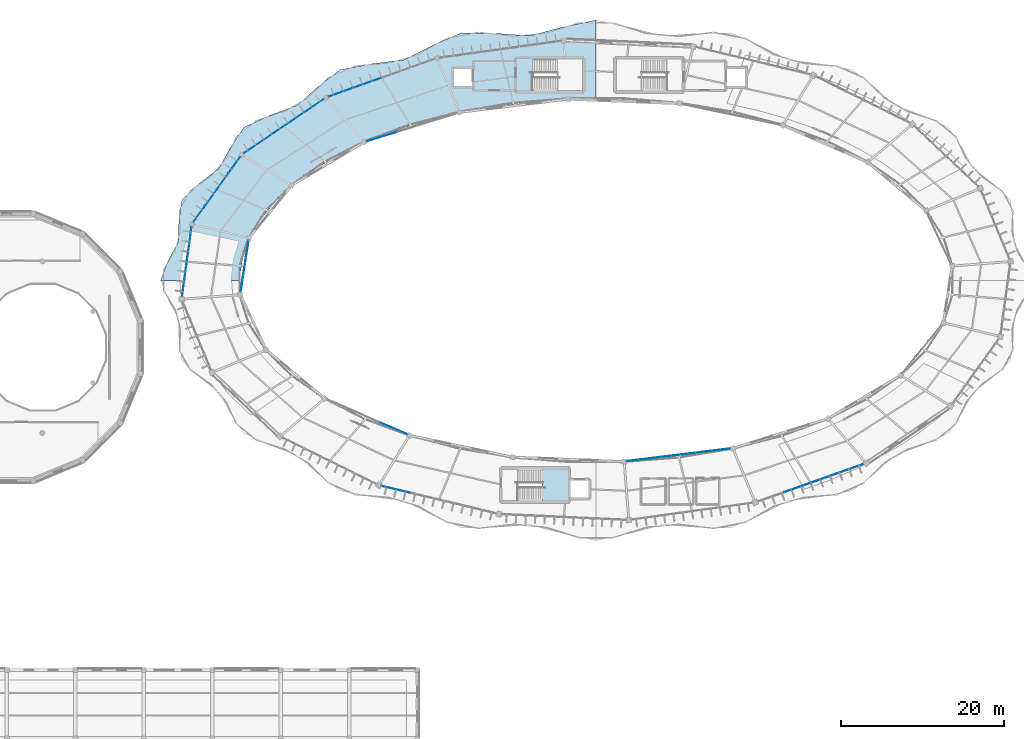
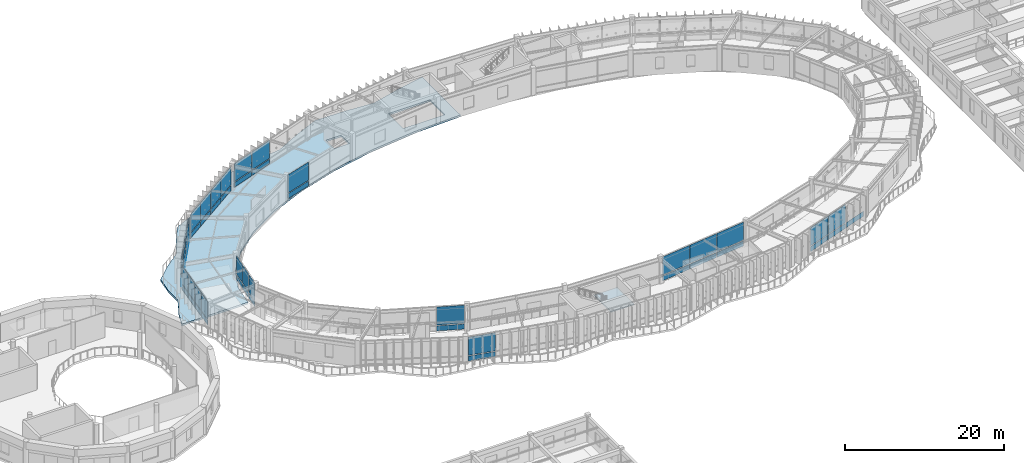
# One storey, part 85 of 114: 51 plates, 2 slabs, 11 elements without a shape of their own.
"""IFC4 building model written with IfcOpenShell, lengths in metres."""

from ifc_helpers import new_model, si_unit, direction, frame, origin, origin_2d, place, context, subcontext, project, spatial, polyline, rectangle, outline, extrude, material, layer, layer_set, type_object, element, aggregate, save


model = new_model("IFC4")

# Units and contexts
model_context = context("Model", 3, precision=1e-05, world=origin(), true_north=direction((0.0, 1.0)))
body_context = subcontext(model_context, "Body", "Model", "MODEL_VIEW")
ifc_project = project(units=[si_unit("LENGTHUNIT", "METRE"), si_unit("AREAUNIT", "SQUARE_METRE"), si_unit("VOLUMEUNIT", "CUBIC_METRE"), si_unit("PLANEANGLEUNIT", "RADIAN"), si_unit("MASSUNIT", "GRAM", prefix="KILO"), si_unit("THERMODYNAMICTEMPERATUREUNIT", "KELVIN"), si_unit("POWERUNIT", "WATT")], contexts=[model_context])

# Site, building, storey
site_placement = place(None, origin())
site = spatial("IfcSite", under=ifc_project, at=site_placement, CompositionType="ELEMENT")
building_placement = place(site_placement, origin())
building = spatial("IfcBuilding", under=site, at=building_placement, Name="Darbajah Civic Hall", CompositionType="ELEMENT")
storey_placement = place(building_placement, frame((0.0, 0.0, 13.800048828125)))
storey = spatial("IfcBuildingStorey", under=building, at=storey_placement, Name="L03", CompositionType="ELEMENT", Elevation=13.800048828125)

# Curtain wall, plates
ifc_material_1 = material(Name="Anodised Bronze Aluminium and Low-E Glazing", Category="aluminium")
curtain_wall_type_1 = type_object("IfcCurtainWallType", Name="Unitised Curtain Wall CW-44 9800x3900", PredefinedType="USERDEFINED", material=ifc_material_1)
curtain_wall_1_placement = place(storey_placement, origin())
curtain_wall_1 = element("IfcCurtainWall", 1, at=curtain_wall_1_placement, inside=storey, type_object=curtain_wall_type_1, Name="L03 unitised curtain wall CW-V1O-L03-08", ObjectType="UNITISED CURTAIN WALL", PredefinedType="USERDEFINED")
ifc_material_2 = material(Name="Low-E Solar Control Double Glazing", Category="glass")
ifc_layer_1 = layer(ifc_material_2, 0.02392578125, Name="Low-E Solar Control Double Glazing")
ifc_layer_set_1 = layer_set([ifc_layer_1], Name="Low-E Solar Control Double Glazing")
plate_type_1 = type_object("IfcPlateType", Name="Solar Double Glazing 24mm", PredefinedType="CURTAIN_PANEL", material=ifc_layer_set_1)
plate_1_placement = place(storey_placement, frame((44.709228515625, 103.948486328125, 0.10009765625), z_axis=(0.0, 0.0, 1.0), x_axis=(-0.582264874145, -0.812999149039, 0.0)))
plate_1 = element("IfcPlate", 2, at=plate_1_placement, type_object=plate_type_1, Name="CW-V1O-L03-08 glazed panel 1.1", PredefinedType="CURTAIN_PANEL", context=body_context, shape_type="SweptSolid", body=[
    extrude(rectangle(XDim=2.3935546875, YDim=0.02392578125, at=origin_2d()), origin(), (0.0, 0.0, 1.0), 0.800048828125),
])
plate_2_placement = place(storey_placement, frame((44.709228515625, 103.948486328125, 1.0), z_axis=(0.0, 0.0, 1.0), x_axis=(-0.582264874145, -0.812999149039, 0.0)))
plate_2 = element("IfcPlate", 3, at=plate_2_placement, type_object=plate_type_1, Name="CW-V1O-L03-08 glazed panel 1.2", PredefinedType="CURTAIN_PANEL", context=body_context, shape_type="SweptSolid", body=[
    extrude(rectangle(XDim=2.3935546875, YDim=0.02392578125, at=origin_2d()), origin(), (0.0, 0.0, 1.0), 2.820068359375),
])
plate_3_placement = place(storey_placement, frame((43.278076171875, 101.94970703125, 0.10009765625), z_axis=(0.0, 0.0, 1.0), x_axis=(-0.582264874145, -0.812999149039, 0.0)))
plate_3 = element("IfcPlate", 4, at=plate_3_placement, type_object=plate_type_1, Name="CW-V1O-L03-08 glazed panel 2.1", PredefinedType="CURTAIN_PANEL", context=body_context, shape_type="SweptSolid", body=[
    extrude(rectangle(XDim=2.3935546875, YDim=0.02392578125, at=origin_2d()), origin(), (0.0, 0.0, 1.0), 0.800048828125),
])
plate_4_placement = place(storey_placement, frame((43.278076171875, 101.94970703125, 1.0), z_axis=(0.0, 0.0, 1.0), x_axis=(-0.582264874145, -0.812999149039, 0.0)))
plate_4 = element("IfcPlate", 5, at=plate_4_placement, type_object=plate_type_1, Name="CW-V1O-L03-08 glazed panel 2.2", PredefinedType="CURTAIN_PANEL", context=body_context, shape_type="SweptSolid", body=[
    extrude(rectangle(XDim=2.3935546875, YDim=0.02392578125, at=origin_2d()), origin(), (0.0, 0.0, 1.0), 2.820068359375),
])
plate_5_placement = place(storey_placement, frame((41.8466796875, 99.95068359375, 0.10009765625), z_axis=(0.0, 0.0, 1.0), x_axis=(-0.582264874145, -0.812999149039, 0.0)))
plate_5 = element("IfcPlate", 6, at=plate_5_placement, type_object=plate_type_1, Name="CW-V1O-L03-08 glazed panel 3.1", PredefinedType="CURTAIN_PANEL", context=body_context, shape_type="SweptSolid", body=[
    extrude(rectangle(XDim=2.3935546875, YDim=0.02392578125, at=origin_2d()), origin(), (0.0, 0.0, 1.0), 0.800048828125),
])
plate_6_placement = place(storey_placement, frame((41.8466796875, 99.95068359375, 1.0), z_axis=(0.0, 0.0, 1.0), x_axis=(-0.582264874145, -0.812999149039, 0.0)))
plate_6 = element("IfcPlate", 7, at=plate_6_placement, type_object=plate_type_1, Name="CW-V1O-L03-08 glazed panel 3.2", PredefinedType="CURTAIN_PANEL", context=body_context, shape_type="SweptSolid", body=[
    extrude(rectangle(XDim=2.3935546875, YDim=0.02392578125, at=origin_2d()), origin(), (0.0, 0.0, 1.0), 2.820068359375),
])
plate_7_placement = place(storey_placement, frame((40.415283203125, 97.951904296875, 0.10009765625), z_axis=(0.0, 0.0, 1.0), x_axis=(-0.582264874145, -0.812999149039, 0.0)))
plate_7 = element("IfcPlate", 8, at=plate_7_placement, type_object=plate_type_1, Name="CW-V1O-L03-08 glazed panel 4.1", PredefinedType="CURTAIN_PANEL", context=body_context, shape_type="SweptSolid", body=[
    extrude(rectangle(XDim=2.3935546875, YDim=0.02392578125, at=origin_2d()), origin(), (0.0, 0.0, 1.0), 0.800048828125),
])
plate_8_placement = place(storey_placement, frame((40.415283203125, 97.951904296875, 1.0), z_axis=(0.0, 0.0, 1.0), x_axis=(-0.582264874145, -0.812999149039, 0.0)))
plate_8 = element("IfcPlate", 9, at=plate_8_placement, type_object=plate_type_1, Name="CW-V1O-L03-08 glazed panel 4.2", PredefinedType="CURTAIN_PANEL", context=body_context, shape_type="SweptSolid", body=[
    extrude(rectangle(XDim=2.3935546875, YDim=0.02392578125, at=origin_2d()), origin(), (0.0, 0.0, 1.0), 2.820068359375),
])
aggregate(curtain_wall_1, [plate_1, plate_2, plate_3, plate_4, plate_5, plate_6, plate_7, plate_8])

curtain_wall_type_2 = type_object("IfcCurtainWallType", Name="Unitised Curtain Wall CW-43 11600x3900", PredefinedType="USERDEFINED", material=ifc_material_1)
curtain_wall_2_placement = place(storey_placement, origin())
curtain_wall_2 = element("IfcCurtainWall", 10, at=curtain_wall_2_placement, inside=storey, type_object=curtain_wall_type_2, Name="L03 unitised curtain wall CW-V1I-L03-06", ObjectType="UNITISED CURTAIN WALL", PredefinedType="USERDEFINED")
ifc_layer_2 = layer(ifc_material_2, 0.028076171875, Name="Low-E Solar Control Double Glazing")
ifc_layer_set_2 = layer_set([ifc_layer_2], Name="Low-E Solar Control Double Glazing")
plate_type_2 = type_object("IfcPlateType", Name="Solar Double Glazing 28mm", PredefinedType="CURTAIN_PANEL", material=ifc_layer_set_2)
plate_9_placement = place(storey_placement, frame((62.793701171875, 107.424560546875, 0.119873046875), z_axis=(0.0, 0.0, 1.0), x_axis=(-0.954604963513, -0.297874744877, 0.0)))
plate_9 = element("IfcPlate", 11, at=plate_9_placement, type_object=plate_type_2, Name="CW-V1I-L03-06 glazed panel 3.1", PredefinedType="CURTAIN_PANEL", context=body_context, shape_type="SweptSolid", body=[
    extrude(rectangle(XDim=3.80859375, YDim=0.028076171875, at=origin_2d()), origin(), (0.0, 0.0, 1.0), 0.77001953125),
])
plate_10_placement = place(storey_placement, frame((62.793701171875, 107.424560546875, 1.010009765625), z_axis=(0.0, 0.0, 1.0), x_axis=(-0.954604963513, -0.297874744877, 0.0)))
plate_10 = element("IfcPlate", 12, at=plate_10_placement, type_object=plate_type_2, Name="CW-V1I-L03-06 glazed panel 3.2", PredefinedType="CURTAIN_PANEL", context=body_context, shape_type="SweptSolid", body=[
    extrude(rectangle(XDim=3.80859375, YDim=0.028076171875, at=origin_2d()), origin(), (0.0, 0.0, 1.0), 2.7900390625),
])
aggregate(curtain_wall_2, [plate_9, plate_10])

curtain_wall_type_3 = type_object("IfcCurtainWallType", Name="Unitised Curtain Wall CW-58 11900x3900", PredefinedType="USERDEFINED", material=ifc_material_1)
curtain_wall_3_placement = place(storey_placement, origin())
curtain_wall_3 = element("IfcCurtainWall", 13, at=curtain_wall_3_placement, inside=storey, type_object=curtain_wall_type_3, Name="L03 unitised curtain wall CW-V1O-L03-07", ObjectType="UNITISED CURTAIN WALL", PredefinedType="USERDEFINED")
plate_11_placement = place(storey_placement, frame((54.479736328125, 111.21728515625, 0.119873046875), z_axis=(0.0, 0.0, 1.0), x_axis=(-0.827962472047, -0.560783509816, 0.0)))
plate_11 = element("IfcPlate", 14, at=plate_11_placement, type_object=plate_type_2, Name="CW-V1O-L03-07 glazed panel 1.1", PredefinedType="CURTAIN_PANEL", context=body_context, shape_type="SweptSolid", body=[
    extrude(rectangle(XDim=2.8955078125, YDim=0.028076171875, at=origin_2d()), origin(), (0.0, 0.0, 1.0), 0.77001953125),
])
plate_12_placement = place(storey_placement, frame((54.479736328125, 111.21728515625, 1.010009765625), z_axis=(0.0, 0.0, 1.0), x_axis=(-0.827962472047, -0.560783509816, 0.0)))
plate_12 = element("IfcPlate", 15, at=plate_12_placement, type_object=plate_type_2, Name="CW-V1O-L03-07 glazed panel 1.2", PredefinedType="CURTAIN_PANEL", context=body_context, shape_type="SweptSolid", body=[
    extrude(rectangle(XDim=2.8955078125, YDim=0.028076171875, at=origin_2d()), origin(), (0.0, 0.0, 1.0), 2.7900390625),
])
plate_13_placement = place(storey_placement, frame((52.0244140625, 109.55419921875, 0.119873046875), z_axis=(0.0, 0.0, 1.0), x_axis=(-0.827962472047, -0.560783509816, 0.0)))
plate_13 = element("IfcPlate", 16, at=plate_13_placement, type_object=plate_type_2, Name="CW-V1O-L03-07 glazed panel 2.1", PredefinedType="CURTAIN_PANEL", context=body_context, shape_type="SweptSolid", body=[
    extrude(rectangle(XDim=2.8955078125, YDim=0.028076171875, at=origin_2d()), origin(), (0.0, 0.0, 1.0), 0.77001953125),
])
plate_14_placement = place(storey_placement, frame((52.0244140625, 109.55419921875, 1.010009765625), z_axis=(0.0, 0.0, 1.0), x_axis=(-0.827962472047, -0.560783509816, 0.0)))
plate_14 = element("IfcPlate", 17, at=plate_14_placement, type_object=plate_type_2, Name="CW-V1O-L03-07 glazed panel 2.2", PredefinedType="CURTAIN_PANEL", context=body_context, shape_type="SweptSolid", body=[
    extrude(rectangle(XDim=2.8955078125, YDim=0.028076171875, at=origin_2d()), origin(), (0.0, 0.0, 1.0), 2.7900390625),
])
plate_15_placement = place(storey_placement, frame((49.569091796875, 107.891357421875, 0.119873046875), z_axis=(0.0, 0.0, 1.0), x_axis=(-0.827962472047, -0.560783509816, 0.0)))
plate_15 = element("IfcPlate", 18, at=plate_15_placement, type_object=plate_type_2, Name="CW-V1O-L03-07 glazed panel 3.1", PredefinedType="CURTAIN_PANEL", context=body_context, shape_type="SweptSolid", body=[
    extrude(rectangle(XDim=2.8955078125, YDim=0.028076171875, at=origin_2d()), origin(), (0.0, 0.0, 1.0), 0.77001953125),
])
plate_16_placement = place(storey_placement, frame((49.569091796875, 107.891357421875, 1.010009765625), z_axis=(0.0, 0.0, 1.0), x_axis=(-0.827962472047, -0.560783509816, 0.0)))
plate_16 = element("IfcPlate", 19, at=plate_16_placement, type_object=plate_type_2, Name="CW-V1O-L03-07 glazed panel 3.2", PredefinedType="CURTAIN_PANEL", context=body_context, shape_type="SweptSolid", body=[
    extrude(rectangle(XDim=2.8955078125, YDim=0.028076171875, at=origin_2d()), origin(), (0.0, 0.0, 1.0), 2.7900390625),
])
plate_17_placement = place(storey_placement, frame((47.11376953125, 106.228515625, 0.119873046875), z_axis=(0.0, 0.0, 1.0), x_axis=(-0.827962472047, -0.560783509816, 0.0)))
plate_17 = element("IfcPlate", 20, at=plate_17_placement, type_object=plate_type_2, Name="CW-V1O-L03-07 glazed panel 4.1", PredefinedType="CURTAIN_PANEL", context=body_context, shape_type="SweptSolid", body=[
    extrude(rectangle(XDim=2.8955078125, YDim=0.028076171875, at=origin_2d()), origin(), (0.0, 0.0, 1.0), 0.77001953125),
])
plate_18_placement = place(storey_placement, frame((47.11376953125, 106.228515625, 1.010009765625), z_axis=(0.0, 0.0, 1.0), x_axis=(-0.827962472047, -0.560783509816, 0.0)))
plate_18 = element("IfcPlate", 21, at=plate_18_placement, type_object=plate_type_2, Name="CW-V1O-L03-07 glazed panel 4.2", PredefinedType="CURTAIN_PANEL", context=body_context, shape_type="SweptSolid", body=[
    extrude(rectangle(XDim=2.8955078125, YDim=0.028076171875, at=origin_2d()), origin(), (0.0, 0.0, 1.0), 2.7900390625),
])
aggregate(curtain_wall_3, [plate_11, plate_12, plate_13, plate_14, plate_15, plate_16, plate_17, plate_18])

curtain_wall_type_4 = type_object("IfcCurtainWallType", Name="Unitised Curtain Wall CW-46 6400x3900", PredefinedType="USERDEFINED", material=ifc_material_1)
curtain_wall_4_placement = place(storey_placement, origin())
curtain_wall_4 = element("IfcCurtainWall", 22, at=curtain_wall_4_placement, inside=storey, type_object=curtain_wall_type_4, Name="L03 unitised curtain wall CW-V1I-L03-09", ObjectType="UNITISED CURTAIN WALL", PredefinedType="USERDEFINED")
plate_19_placement = place(storey_placement, frame((46.30029296875, 93.6474609375, 0.119873046875), z_axis=(0.0, 0.0, 1.0), x_axis=(-0.152813355565, -0.98825506746, 0.0)))
plate_19 = element("IfcPlate", 23, at=plate_19_placement, type_object=plate_type_2, Name="CW-V1I-L03-09 glazed panel 1.1", PredefinedType="CURTAIN_PANEL", context=body_context, shape_type="SweptSolid", body=[
    extrude(rectangle(XDim=2.07470703125, YDim=0.028076171875, at=origin_2d()), origin(), (0.0, 0.0, 1.0), 0.77001953125),
])
plate_20_placement = place(storey_placement, frame((46.30029296875, 93.6474609375, 1.010009765625), z_axis=(0.0, 0.0, 1.0), x_axis=(-0.152813355565, -0.98825506746, 0.0)))
plate_20 = element("IfcPlate", 24, at=plate_20_placement, type_object=plate_type_2, Name="CW-V1I-L03-09 glazed panel 1.2", PredefinedType="CURTAIN_PANEL", context=body_context, shape_type="SweptSolid", body=[
    extrude(rectangle(XDim=2.07470703125, YDim=0.028076171875, at=origin_2d()), origin(), (0.0, 0.0, 1.0), 2.7900390625),
])
plate_21_placement = place(storey_placement, frame((45.97265625, 91.528076171875, 0.119873046875), z_axis=(0.0, 0.0, 1.0), x_axis=(-0.152813355565, -0.98825506746, 0.0)))
plate_21 = element("IfcPlate", 25, at=plate_21_placement, type_object=plate_type_2, Name="CW-V1I-L03-09 glazed panel 2.1", PredefinedType="CURTAIN_PANEL", context=body_context, shape_type="SweptSolid", body=[
    extrude(rectangle(XDim=2.07470703125, YDim=0.028076171875, at=origin_2d()), origin(), (0.0, 0.0, 1.0), 0.77001953125),
])
plate_22_placement = place(storey_placement, frame((45.97265625, 91.528076171875, 1.010009765625), z_axis=(0.0, 0.0, 1.0), x_axis=(-0.152813355565, -0.98825506746, 0.0)))
plate_22 = element("IfcPlate", 26, at=plate_22_placement, type_object=plate_type_2, Name="CW-V1I-L03-09 glazed panel 2.2", PredefinedType="CURTAIN_PANEL", context=body_context, shape_type="SweptSolid", body=[
    extrude(rectangle(XDim=2.07470703125, YDim=0.028076171875, at=origin_2d()), origin(), (0.0, 0.0, 1.0), 2.7900390625),
])
plate_23_placement = place(storey_placement, frame((45.64501953125, 89.40869140625, 0.119873046875), z_axis=(0.0, 0.0, 1.0), x_axis=(-0.152813355565, -0.98825506746, 0.0)))
plate_23 = element("IfcPlate", 27, at=plate_23_placement, type_object=plate_type_2, Name="CW-V1I-L03-09 glazed panel 3.1", PredefinedType="CURTAIN_PANEL", context=body_context, shape_type="SweptSolid", body=[
    extrude(rectangle(XDim=2.07470703125, YDim=0.028076171875, at=origin_2d()), origin(), (0.0, 0.0, 1.0), 0.77001953125),
])
plate_24_placement = place(storey_placement, frame((45.64501953125, 89.40869140625, 1.010009765625), z_axis=(0.0, 0.0, 1.0), x_axis=(-0.152813355565, -0.98825506746, 0.0)))
plate_24 = element("IfcPlate", 28, at=plate_24_placement, type_object=plate_type_2, Name="CW-V1I-L03-09 glazed panel 3.2", PredefinedType="CURTAIN_PANEL", context=body_context, shape_type="SweptSolid", body=[
    extrude(rectangle(XDim=2.07470703125, YDim=0.028076171875, at=origin_2d()), origin(), (0.0, 0.0, 1.0), 2.7900390625),
])
aggregate(curtain_wall_4, [plate_19, plate_20, plate_21, plate_22, plate_23, plate_24])

curtain_wall_type_5 = type_object("IfcCurtainWallType", Name="Unitised Curtain Wall CW-39 10800x3900", PredefinedType="USERDEFINED", material=ifc_material_1)
curtain_wall_5_placement = place(storey_placement, origin())
curtain_wall_5 = element("IfcCurtainWall", 29, at=curtain_wall_5_placement, inside=storey, type_object=curtain_wall_type_5, Name="L03 unitised curtain wall CW-V1I-L03-12", ObjectType="UNITISED CURTAIN WALL", PredefinedType="USERDEFINED")
plate_25_placement = place(storey_placement, frame((64.293212890625, 71.62158203125, 0.119873046875), z_axis=(0.0, 0.0, 1.0), x_axis=(0.917060074385, -0.398749068925, 0.0)))
plate_25 = element("IfcPlate", 30, at=plate_25_placement, type_object=plate_type_2, Name="CW-V1I-L03-12 glazed panel 3.1", PredefinedType="CURTAIN_PANEL", context=body_context, shape_type="SweptSolid", body=[
    extrude(rectangle(XDim=3.516357421875, YDim=0.028076171875, at=origin_2d()), origin(), (0.0, 0.0, 1.0), 0.77001953125),
])
plate_26_placement = place(storey_placement, frame((64.293212890625, 71.62158203125, 1.010009765625), z_axis=(0.0, 0.0, 1.0), x_axis=(0.917060074385, -0.398749068925, 0.0)))
plate_26 = element("IfcPlate", 31, at=plate_26_placement, type_object=plate_type_2, Name="CW-V1I-L03-12 glazed panel 3.2", PredefinedType="CURTAIN_PANEL", context=body_context, shape_type="SweptSolid", body=[
    extrude(rectangle(XDim=3.516357421875, YDim=0.028076171875, at=origin_2d()), origin(), (0.0, 0.0, 1.0), 2.7900390625),
])
aggregate(curtain_wall_5, [plate_25, plate_26])

curtain_wall_type_6 = type_object("IfcCurtainWallType", Name="Unitised Curtain Wall CW-48 14500x3900", PredefinedType="USERDEFINED", material=ifc_material_1)
curtain_wall_6_placement = place(storey_placement, origin())
curtain_wall_6 = element("IfcCurtainWall", 32, at=curtain_wall_6_placement, inside=storey, type_object=curtain_wall_type_6, Name="L03 unitised curtain wall CW-V1O-L03-13", ObjectType="UNITISED CURTAIN WALL", PredefinedType="USERDEFINED")
plate_27_placement = place(storey_placement, frame((64.53369140625, 64.1484375, 0.119873046875), z_axis=(0.0, 0.0, 1.0), x_axis=(0.972492018808, -0.232936200179, 0.0)))
plate_27 = element("IfcPlate", 33, at=plate_27_placement, type_object=plate_type_2, Name="CW-V1O-L03-13 glazed panel 1.1", PredefinedType="CURTAIN_PANEL", context=body_context, shape_type="SweptSolid", body=[
    extrude(rectangle(XDim=3.55615234375, YDim=0.028076171875, at=origin_2d()), origin(), (0.0, 0.0, 1.0), 0.77001953125),
])
plate_28_placement = place(storey_placement, frame((64.53369140625, 64.1484375, 1.010009765625), z_axis=(0.0, 0.0, 1.0), x_axis=(0.972492018808, -0.232936200179, 0.0)))
plate_28 = element("IfcPlate", 34, at=plate_28_placement, type_object=plate_type_2, Name="CW-V1O-L03-13 glazed panel 1.2", PredefinedType="CURTAIN_PANEL", context=body_context, shape_type="SweptSolid", body=[
    extrude(rectangle(XDim=3.55615234375, YDim=0.028076171875, at=origin_2d()), origin(), (0.0, 0.0, 1.0), 2.7900390625),
])
aggregate(curtain_wall_6, [plate_27, plate_28])

curtain_wall_type_7 = type_object("IfcCurtainWallType", Name="Unitised Curtain Wall CW-50 12800x3900", PredefinedType="USERDEFINED", material=ifc_material_1)
curtain_wall_7_placement = place(storey_placement, origin())
curtain_wall_7 = element("IfcCurtainWall", 35, at=curtain_wall_7_placement, inside=storey, type_object=curtain_wall_type_7, Name="L03 unitised curtain wall CW-V1I-L03-15", ObjectType="UNITISED CURTAIN WALL", PredefinedType="USERDEFINED")
plate_29_placement = place(storey_placement, frame((94.957275390625, 67.864501953125, 0.119873046875), z_axis=(0.0, 0.0, 1.0), x_axis=(0.992609826221, 0.121349630774, 0.0)))
plate_29 = element("IfcPlate", 36, at=plate_29_placement, type_object=plate_type_2, Name="CW-V1I-L03-15 glazed panel 1.1", PredefinedType="CURTAIN_PANEL", context=body_context, shape_type="SweptSolid", body=[
    extrude(rectangle(XDim=4.203369140625, YDim=0.028076171875, at=origin_2d()), origin(), (0.0, 0.0, 1.0), 0.77001953125),
])
plate_30_placement = place(storey_placement, frame((94.957275390625, 67.864501953125, 1.010009765625), z_axis=(0.0, 0.0, 1.0), x_axis=(0.992609826221, 0.121349630774, 0.0)))
plate_30 = element("IfcPlate", 37, at=plate_30_placement, type_object=plate_type_2, Name="CW-V1I-L03-15 glazed panel 1.2", PredefinedType="CURTAIN_PANEL", context=body_context, shape_type="SweptSolid", body=[
    extrude(rectangle(XDim=4.203369140625, YDim=0.028076171875, at=origin_2d()), origin(), (0.0, 0.0, 1.0), 2.7900390625),
])
plate_31_placement = place(storey_placement, frame((99.198974609375, 68.383056640625, 0.119873046875), z_axis=(0.0, 0.0, 1.0), x_axis=(0.992609826221, 0.121349630774, 0.0)))
plate_31 = element("IfcPlate", 38, at=plate_31_placement, type_object=plate_type_2, Name="CW-V1I-L03-15 glazed panel 2.1", PredefinedType="CURTAIN_PANEL", context=body_context, shape_type="SweptSolid", body=[
    extrude(rectangle(XDim=4.203369140625, YDim=0.028076171875, at=origin_2d()), origin(), (0.0, 0.0, 1.0), 0.77001953125),
])
plate_32_placement = place(storey_placement, frame((99.198974609375, 68.383056640625, 1.010009765625), z_axis=(0.0, 0.0, 1.0), x_axis=(0.992609826221, 0.121349630774, 0.0)))
plate_32 = element("IfcPlate", 39, at=plate_32_placement, type_object=plate_type_2, Name="CW-V1I-L03-15 glazed panel 2.2", PredefinedType="CURTAIN_PANEL", context=body_context, shape_type="SweptSolid", body=[
    extrude(rectangle(XDim=4.203369140625, YDim=0.028076171875, at=origin_2d()), origin(), (0.0, 0.0, 1.0), 2.7900390625),
])
plate_33_placement = place(storey_placement, frame((103.44091796875, 68.901611328125, 0.119873046875), z_axis=(0.0, 0.0, 1.0), x_axis=(0.992609826221, 0.121349630774, 0.0)))
plate_33 = element("IfcPlate", 40, at=plate_33_placement, type_object=plate_type_2, Name="CW-V1I-L03-15 glazed panel 3.1", PredefinedType="CURTAIN_PANEL", context=body_context, shape_type="SweptSolid", body=[
    extrude(rectangle(XDim=4.203369140625, YDim=0.028076171875, at=origin_2d()), origin(), (0.0, 0.0, 1.0), 0.77001953125),
])
plate_34_placement = place(storey_placement, frame((103.44091796875, 68.901611328125, 1.010009765625), z_axis=(0.0, 0.0, 1.0), x_axis=(0.992609826221, 0.121349630774, 0.0)))
plate_34 = element("IfcPlate", 41, at=plate_34_placement, type_object=plate_type_2, Name="CW-V1I-L03-15 glazed panel 3.2", PredefinedType="CURTAIN_PANEL", context=body_context, shape_type="SweptSolid", body=[
    extrude(rectangle(XDim=4.203369140625, YDim=0.028076171875, at=origin_2d()), origin(), (0.0, 0.0, 1.0), 2.7900390625),
])
aggregate(curtain_wall_7, [plate_29, plate_30, plate_31, plate_32, plate_33, plate_34])

curtain_wall_type_8 = type_object("IfcCurtainWallType", Name="Unitised Curtain Wall CW-62 13800x3900", PredefinedType="USERDEFINED", material=ifc_material_1)
curtain_wall_8_placement = place(storey_placement, origin())
curtain_wall_8 = element("IfcCurtainWall", 42, at=curtain_wall_8_placement, inside=storey, type_object=curtain_wall_type_8, Name="L03 unitised curtain wall CW-V1O-L03-16", ObjectType="UNITISED CURTAIN WALL", PredefinedType="USERDEFINED")
plate_35_placement = place(storey_placement, frame((113.7958984375, 64.38134765625, 0.119873046875), z_axis=(0.0, 0.0, 1.0), x_axis=(0.94252491309, 0.334135882844, 0.0)))
plate_35 = element("IfcPlate", 43, at=plate_35_placement, type_object=plate_type_2, Name="CW-V1O-L03-16 glazed panel 2.1", PredefinedType="CURTAIN_PANEL", context=body_context, shape_type="SweptSolid", body=[
    extrude(rectangle(XDim=3.375, YDim=0.028076171875, at=origin_2d()), origin(), (0.0, 0.0, 1.0), 0.77001953125),
])
plate_36_placement = place(storey_placement, frame((113.7958984375, 64.38134765625, 1.010009765625), z_axis=(0.0, 0.0, 1.0), x_axis=(0.94252491309, 0.334135882844, 0.0)))
plate_36 = element("IfcPlate", 44, at=plate_36_placement, type_object=plate_type_2, Name="CW-V1O-L03-16 glazed panel 2.2", PredefinedType="CURTAIN_PANEL", context=body_context, shape_type="SweptSolid", body=[
    extrude(rectangle(XDim=3.375, YDim=0.028076171875, at=origin_2d()), origin(), (0.0, 0.0, 1.0), 2.7900390625),
])
plate_37_placement = place(storey_placement, frame((117.04296875, 65.5322265625, 0.119873046875), z_axis=(0.0, 0.0, 1.0), x_axis=(0.94252491309, 0.334135882844, 0.0)))
plate_37 = element("IfcPlate", 45, at=plate_37_placement, type_object=plate_type_2, Name="CW-V1O-L03-16 glazed panel 3.1", PredefinedType="CURTAIN_PANEL", context=body_context, shape_type="SweptSolid", body=[
    extrude(rectangle(XDim=3.375, YDim=0.028076171875, at=origin_2d()), origin(), (0.0, 0.0, 1.0), 0.77001953125),
])
plate_38_placement = place(storey_placement, frame((117.04296875, 65.5322265625, 1.010009765625), z_axis=(0.0, 0.0, 1.0), x_axis=(0.94252491309, 0.334135882844, 0.0)))
plate_38 = element("IfcPlate", 46, at=plate_38_placement, type_object=plate_type_2, Name="CW-V1O-L03-16 glazed panel 3.2", PredefinedType="CURTAIN_PANEL", context=body_context, shape_type="SweptSolid", body=[
    extrude(rectangle(XDim=3.375, YDim=0.028076171875, at=origin_2d()), origin(), (0.0, 0.0, 1.0), 2.7900390625),
])
plate_39_placement = place(storey_placement, frame((120.2900390625, 66.683349609375, 0.119873046875), z_axis=(0.0, 0.0, 1.0), x_axis=(0.94252491309, 0.334135882844, 0.0)))
plate_39 = element("IfcPlate", 47, at=plate_39_placement, type_object=plate_type_2, Name="CW-V1O-L03-16 glazed panel 4.1", PredefinedType="CURTAIN_PANEL", context=body_context, shape_type="SweptSolid", body=[
    extrude(rectangle(XDim=3.375, YDim=0.028076171875, at=origin_2d()), origin(), (0.0, 0.0, 1.0), 0.77001953125),
])
aggregate(curtain_wall_8, [plate_35, plate_36, plate_37, plate_38, plate_39])

curtain_wall_type_9 = type_object("IfcCurtainWallType", Name="Unitised Curtain Wall CW-57 13800x3900", PredefinedType="USERDEFINED", material=ifc_material_1)
curtain_wall_9_placement = place(storey_placement, origin())
curtain_wall_9 = element("IfcCurtainWall", 48, at=curtain_wall_9_placement, inside=storey, type_object=curtain_wall_type_9, Name="L03 unitised curtain wall CW-V1O-L03-06", ObjectType="UNITISED CURTAIN WALL", PredefinedType="USERDEFINED")
ifc_layer_3 = layer(ifc_material_2, 0.031982421875, Name="Low-E Solar Control Double Glazing")
ifc_layer_set_3 = layer_set([ifc_layer_3], Name="Low-E Solar Control Double Glazing")
plate_type_3 = type_object("IfcPlateType", Name="Solar Double Glazing 32mm", PredefinedType="CURTAIN_PANEL", material=ifc_layer_set_3)
plate_40_placement = place(storey_placement, frame((61.156982421875, 114.067626953125, 0.14013671875), z_axis=(0.0, 0.0, 1.0), x_axis=(-0.94252491309, -0.334135882844, 0.0)))
plate_40 = element("IfcPlate", 49, at=plate_40_placement, type_object=plate_type_3, Name="CW-V1O-L03-06 glazed panel 3.1", PredefinedType="CURTAIN_PANEL", context=body_context, shape_type="SweptSolid", body=[
    extrude(rectangle(XDim=3.3701171875, YDim=0.031982421875, at=origin_2d()), origin(), (0.0, 0.0, 1.0), 0.739990234375),
])
plate_41_placement = place(storey_placement, frame((61.156982421875, 114.067626953125, 1.02001953125), z_axis=(0.0, 0.0, 1.0), x_axis=(-0.94252491309, -0.334135882844, 0.0)))
plate_41 = element("IfcPlate", 50, at=plate_41_placement, type_object=plate_type_3, Name="CW-V1O-L03-06 glazed panel 3.2", PredefinedType="CURTAIN_PANEL", context=body_context, shape_type="SweptSolid", body=[
    extrude(rectangle(XDim=3.3701171875, YDim=0.031982421875, at=origin_2d()), origin(), (0.0, 0.0, 1.0), 2.760009765625),
])
plate_42_placement = place(storey_placement, frame((57.909912109375, 112.916748046875, 0.14013671875), z_axis=(0.0, 0.0, 1.0), x_axis=(-0.94252491309, -0.334135882844, 0.0)))
plate_42 = element("IfcPlate", 51, at=plate_42_placement, type_object=plate_type_3, Name="CW-V1O-L03-06 glazed panel 4.1", PredefinedType="CURTAIN_PANEL", context=body_context, shape_type="SweptSolid", body=[
    extrude(rectangle(XDim=3.3701171875, YDim=0.031982421875, at=origin_2d()), origin(), (0.0, 0.0, 1.0), 0.739990234375),
])
plate_43_placement = place(storey_placement, frame((57.909912109375, 112.916748046875, 1.02001953125), z_axis=(0.0, 0.0, 1.0), x_axis=(-0.94252491309, -0.334135882844, 0.0)))
plate_43 = element("IfcPlate", 52, at=plate_43_placement, type_object=plate_type_3, Name="CW-V1O-L03-06 glazed panel 4.2", PredefinedType="CURTAIN_PANEL", context=body_context, shape_type="SweptSolid", body=[
    extrude(rectangle(XDim=3.3701171875, YDim=0.031982421875, at=origin_2d()), origin(), (0.0, 0.0, 1.0), 2.760009765625),
])
aggregate(curtain_wall_9, [plate_40, plate_41, plate_42, plate_43])

curtain_wall_type_10 = type_object("IfcCurtainWallType", Name="Unitised Curtain Wall CW-45 8600x3900", PredefinedType="USERDEFINED", material=ifc_material_1)
curtain_wall_10_placement = place(storey_placement, origin())
curtain_wall_10 = element("IfcCurtainWall", 53, at=curtain_wall_10_placement, inside=storey, type_object=curtain_wall_type_10, Name="L03 unitised curtain wall CW-V1O-L03-09", ObjectType="UNITISED CURTAIN WALL", PredefinedType="USERDEFINED")
plate_44_placement = place(storey_placement, frame((39.319580078125, 95.29345703125, 0.14013671875), z_axis=(0.0, 0.0, 1.0), x_axis=(-0.134850930274, -0.990865897387, 0.0)))
plate_44 = element("IfcPlate", 54, at=plate_44_placement, type_object=plate_type_3, Name="CW-V1O-L03-09 glazed panel 1.1", PredefinedType="CURTAIN_PANEL", context=body_context, shape_type="SweptSolid", body=[
    extrude(rectangle(XDim=2.0830078125, YDim=0.031982421875, at=origin_2d()), origin(), (0.0, 0.0, 1.0), 0.739990234375),
])
plate_45_placement = place(storey_placement, frame((39.319580078125, 95.29345703125, 1.02001953125), z_axis=(0.0, 0.0, 1.0), x_axis=(-0.134850930274, -0.990865897387, 0.0)))
plate_45 = element("IfcPlate", 55, at=plate_45_placement, type_object=plate_type_3, Name="CW-V1O-L03-09 glazed panel 1.2", PredefinedType="CURTAIN_PANEL", context=body_context, shape_type="SweptSolid", body=[
    extrude(rectangle(XDim=2.0830078125, YDim=0.031982421875, at=origin_2d()), origin(), (0.0, 0.0, 1.0), 2.760009765625),
])
plate_46_placement = place(storey_placement, frame((39.028564453125, 93.1552734375, 0.14013671875), z_axis=(0.0, 0.0, 1.0), x_axis=(-0.134850930274, -0.990865897387, 0.0)))
plate_46 = element("IfcPlate", 56, at=plate_46_placement, type_object=plate_type_3, Name="CW-V1O-L03-09 glazed panel 2.1", PredefinedType="CURTAIN_PANEL", context=body_context, shape_type="SweptSolid", body=[
    extrude(rectangle(XDim=2.0830078125, YDim=0.031982421875, at=origin_2d()), origin(), (0.0, 0.0, 1.0), 0.739990234375),
])
plate_47_placement = place(storey_placement, frame((39.028564453125, 93.1552734375, 1.02001953125), z_axis=(0.0, 0.0, 1.0), x_axis=(-0.134850930274, -0.990865897387, 0.0)))
plate_47 = element("IfcPlate", 57, at=plate_47_placement, type_object=plate_type_3, Name="CW-V1O-L03-09 glazed panel 2.2", PredefinedType="CURTAIN_PANEL", context=body_context, shape_type="SweptSolid", body=[
    extrude(rectangle(XDim=2.0830078125, YDim=0.031982421875, at=origin_2d()), origin(), (0.0, 0.0, 1.0), 2.760009765625),
])
plate_48_placement = place(storey_placement, frame((38.73779296875, 91.016845703125, 0.14013671875), z_axis=(0.0, 0.0, 1.0), x_axis=(-0.134850930274, -0.990865897387, 0.0)))
plate_48 = element("IfcPlate", 58, at=plate_48_placement, type_object=plate_type_3, Name="CW-V1O-L03-09 glazed panel 3.1", PredefinedType="CURTAIN_PANEL", context=body_context, shape_type="SweptSolid", body=[
    extrude(rectangle(XDim=2.0830078125, YDim=0.031982421875, at=origin_2d()), origin(), (0.0, 0.0, 1.0), 0.739990234375),
])
plate_49_placement = place(storey_placement, frame((38.73779296875, 91.016845703125, 1.02001953125), z_axis=(0.0, 0.0, 1.0), x_axis=(-0.134850930274, -0.990865897387, 0.0)))
plate_49 = element("IfcPlate", 59, at=plate_49_placement, type_object=plate_type_3, Name="CW-V1O-L03-09 glazed panel 3.2", PredefinedType="CURTAIN_PANEL", context=body_context, shape_type="SweptSolid", body=[
    extrude(rectangle(XDim=2.0830078125, YDim=0.031982421875, at=origin_2d()), origin(), (0.0, 0.0, 1.0), 2.760009765625),
])
plate_50_placement = place(storey_placement, frame((38.44677734375, 88.878662109375, 0.14013671875), z_axis=(0.0, 0.0, 1.0), x_axis=(-0.134850930274, -0.990865897387, 0.0)))
plate_50 = element("IfcPlate", 60, at=plate_50_placement, type_object=plate_type_3, Name="CW-V1O-L03-09 glazed panel 4.1", PredefinedType="CURTAIN_PANEL", context=body_context, shape_type="SweptSolid", body=[
    extrude(rectangle(XDim=2.0830078125, YDim=0.031982421875, at=origin_2d()), origin(), (0.0, 0.0, 1.0), 0.739990234375),
])
plate_51_placement = place(storey_placement, frame((38.44677734375, 88.878662109375, 1.02001953125), z_axis=(0.0, 0.0, 1.0), x_axis=(-0.134850930274, -0.990865897387, 0.0)))
plate_51 = element("IfcPlate", 61, at=plate_51_placement, type_object=plate_type_3, Name="CW-V1O-L03-09 glazed panel 4.2", PredefinedType="CURTAIN_PANEL", context=body_context, shape_type="SweptSolid", body=[
    extrude(rectangle(XDim=2.0830078125, YDim=0.031982421875, at=origin_2d()), origin(), (0.0, 0.0, 1.0), 2.760009765625),
])
aggregate(curtain_wall_10, [plate_44, plate_45, plate_46, plate_47, plate_48, plate_49, plate_50, plate_51])

# Stair, slab
ifc_material_3 = material(Name="Concrete C45/55", Category="concrete")
stair_type = type_object("IfcStairType", Name="Half Turn Stair 1650x4200", PredefinedType="HALF_TURN_STAIR", material=ifc_material_3)
stair_placement = place(storey_placement, origin())
stair = element("IfcStair", 62, at=stair_placement, inside=storey, type_object=stair_type, Name="L03 enclosed exit stair ST03", PredefinedType="HALF_TURN_STAIR")
ifc_layer_4 = layer(ifc_material_3, 0.199951171875, Name="Concrete C45/55")
ifc_layer_set_4 = layer_set([ifc_layer_4], Name="Concrete C45/55")
slab_type_1 = type_object("IfcSlabType", Name="Stair Landing Slab 200mm", PredefinedType="LANDING", material=ifc_layer_set_4)
slab_1_placement = place(storey_placement, frame((0.0, 0.0, 1.89990234375)))
slab_1 = element("IfcSlab", 63, at=slab_1_placement, type_object=slab_type_1, Name="ST03 L03 half-landing", PredefinedType="LANDING", context=body_context, shape_type="SweptSolid", body=[
    extrude(outline(polyline([(82.43994140625, 62.60009765625), (85.800048828125, 62.60009765625), (85.800048828125, 66.800048828125), (82.43994140625, 66.800048828125), (82.43994140625, 62.60009765625)])), origin(), (0.0, 0.0, 1.0), 0.199951171875),
])
aggregate(stair, [slab_1])

# Slab
ifc_layer_5 = layer(ifc_material_3, 0.280029296875, Name="Concrete C45/55")
ifc_layer_set_5 = layer_set([ifc_layer_5], Name="Concrete C45/55")
slab_type_2 = type_object("IfcSlabType", Name="Structural Floor Slab 280mm", PredefinedType="FLOOR", material=ifc_layer_set_5)
slab_2_placement = place(storey_placement, frame((0.0, 0.0, -0.280029296875)))
element("IfcSlab", 64, at=slab_2_placement, inside=storey, type_object=slab_type_2, Name="L03 Oval Administration Ring NW floor slab", PredefinedType="FLOOR", context=body_context, shape_type="SweptSolid", body=[
    extrude(outline(polyline([(89.10009765625, 121.739990234375), (84.96826171875, 120.864013671875), (80.984130859375, 119.805908203125), (76.806884765625, 120.09912109375), (72.586181640625, 120.1767578125), (68.947998046875, 118.588134765625), (65.547119140625, 116.868896484375), (61.585205078125, 116.368408203125), (57.688720703125, 115.639892578125), (54.900146484375, 113.494140625), (52.415283203125, 111.281982421875), (49.056884765625, 110.036865234375), (45.8662109375, 108.573974609375), (44.199951171875, 106.0810546875), (42.87451171875, 103.59228515625), (40.448486328125, 101.724365234375), (38.275390625, 99.669921875), (37.89501953125, 97.07421875), (37.858642578125, 94.552490234375), (36.602294921875, 92.244873046875), (35.659912109375, 89.800048828125), (45.320068359375, 89.800048828125), (45.85888671875, 93.285400390625), (47.462646484375, 96.684814453125), (50.091796875, 99.914794921875), (53.68115234375, 102.89599609375), (58.142822265625, 105.55419921875), (63.36669921875, 107.824951171875), (69.224365234375, 109.651611328125), (75.5712890625, 110.989501953125), (82.251220703125, 111.8056640625), (89.10009765625, 112.080078125), (89.10009765625, 121.739990234375)]), holes=[polyline([(81.3798828125, 116.8798828125), (87.4599609375, 116.8798828125), (87.4599609375, 113.1201171875), (81.3798828125, 113.1201171875), (81.3798828125, 116.8798828125)]), polyline([(71.64990234375, 115.75), (73.85009765625, 115.75), (73.85009765625, 113.64990234375), (71.64990234375, 113.64990234375), (71.64990234375, 115.75)])]), origin(), (0.0, 0.0, 1.0), 0.280029296875),
])

save(model, "model.ifc")
